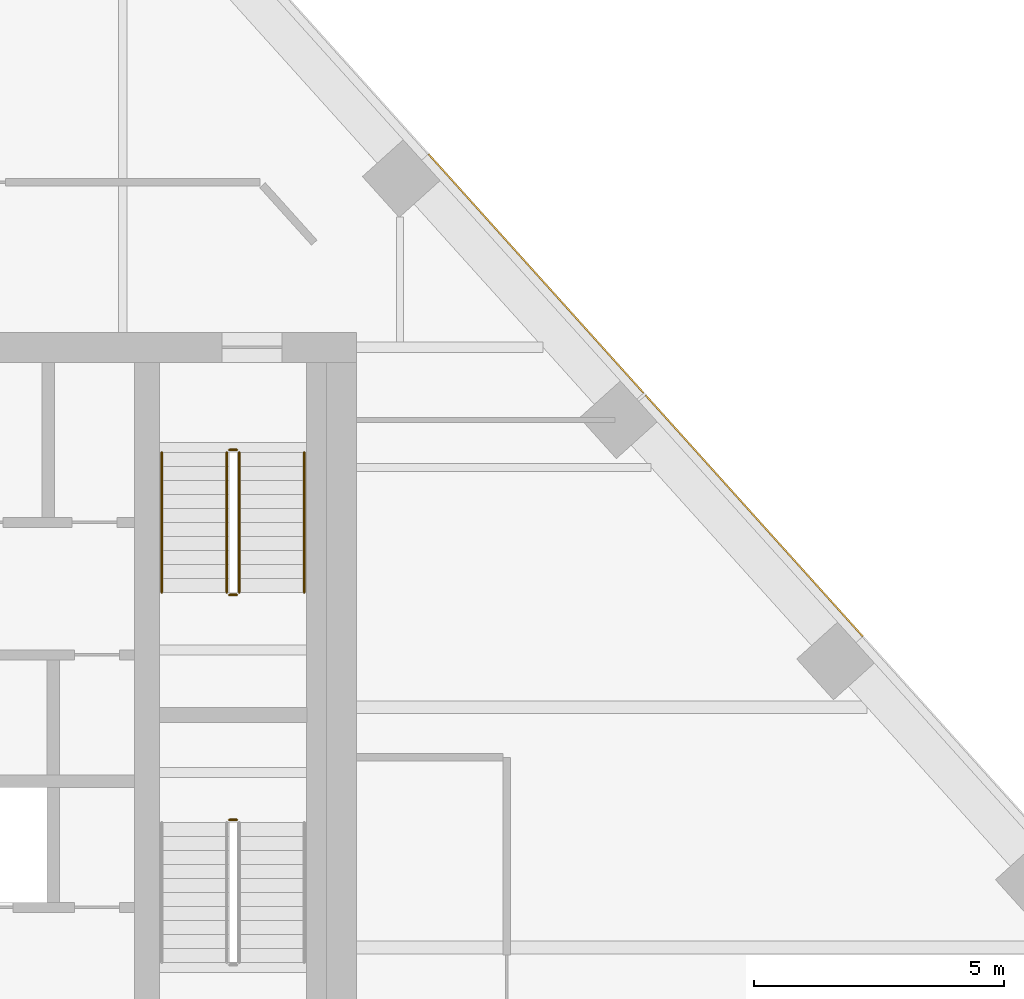
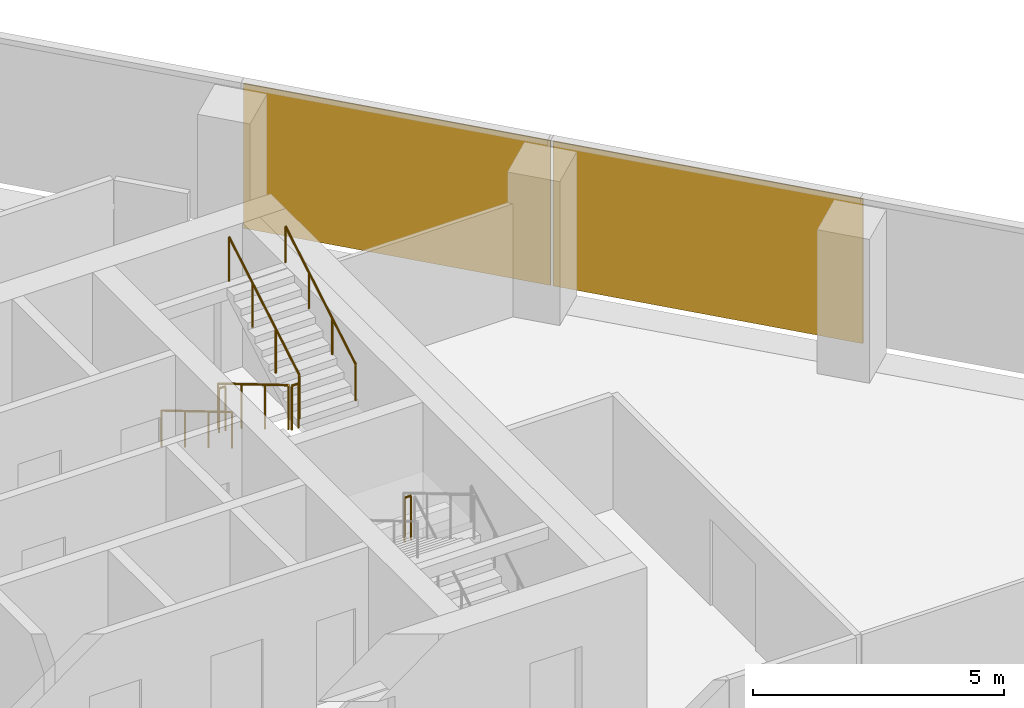
# One storey, part 15 of 15: 7 railings, 2 coverings, 1 element without a shape of its own.
"""IFC4 building model written with IfcOpenShell, lengths in metres."""

from ifc_helpers import new_model, si_unit, direction, frame, origin, origin_2d, place, context, subcontext, project, spatial, rectangle, circle, extrude, material, layer, layer_set, type_object, element, aggregate, save


model = new_model("IFC4")

# Units and contexts
model_context = context("Model", 3, precision=1e-05, world=origin(), true_north=direction((0.0, 1.0)))
body_context = subcontext(model_context, "Body", "Model", "MODEL_VIEW")
ifc_project = project(units=[si_unit("LENGTHUNIT", "METRE"), si_unit("AREAUNIT", "SQUARE_METRE"), si_unit("VOLUMEUNIT", "CUBIC_METRE"), si_unit("PLANEANGLEUNIT", "RADIAN"), si_unit("MASSUNIT", "GRAM", prefix="KILO")], contexts=[model_context])

# Site, building, storey
site_placement = place(None, origin())
site = spatial("IfcSite", under=ifc_project, at=site_placement, CompositionType="ELEMENT")
building_placement = place(site_placement, origin())
building = spatial("IfcBuilding", under=site, at=building_placement, Name="Isthmus Gate Tower", CompositionType="ELEMENT")
storey_placement = place(building_placement, frame((0.0, 0.0, 223.60009765625)))
storey = spatial("IfcBuildingStorey", under=building, at=storey_placement, Name="L56", CompositionType="ELEMENT", Elevation=223.60009765625)

# Curtain wall, coverings
ifc_material_1 = material(Name="Aluminium, pale champagne anodised", Category="aluminium")
ifc_layer_1 = layer(ifc_material_1, 0.199951171875)
ifc_layer_set_1 = layer_set([ifc_layer_1], Name="CW-1 UNITISED CURTAIN WALL 200 DEEP")
curtain_wall_type = type_object("IfcCurtainWallType", Name="CW-1 UNITISED CURTAIN WALL 200 DEEP", PredefinedType="NOTDEFINED", material=ifc_layer_set_1)
curtain_wall_placement = place(storey_placement, origin())
curtain_wall = element("IfcCurtainWall", 1, at=curtain_wall_placement, inside=storey, type_object=curtain_wall_type, Name="CW-1 NE L56", PredefinedType="NOTDEFINED")
ifc_material_2 = material(Name="Aluminium composite panel, pale champagne anodised", Category="aluminium")
ifc_layer_2 = layer(ifc_material_2, 0.031982421875)
ifc_layer_set_2 = layer_set([ifc_layer_2], Name="CW-1 PALE METAL PANEL 32")
covering_type = type_object("IfcCoveringType", Name="CW-1 PALE METAL PANEL 32", PredefinedType="CLADDING", material=ifc_layer_set_2)
covering_1_placement = place(storey_placement, frame((22.950927734375, 11.330810546875, 0.0), z_axis=(0.0, 0.0, 1.0), x_axis=(-0.669130606359, 0.743144825477, 0.0)))
covering_1 = element("IfcCovering", 2, at=covering_1_placement, type_object=covering_type, Name="CW-1 pale metal panel", PredefinedType="CLADDING", context=body_context, shape_type="SweptSolid", body=[
    extrude(rectangle(XDim=6.491943359375, YDim=0.031982421875, at=origin_2d()), origin(), (0.0, 0.0, 1.0), 3.52001953125),
])
covering_2_placement = place(storey_placement, frame((18.5869140625, 16.177734375, 0.0), z_axis=(0.0, 0.0, 1.0), x_axis=(-0.669130606359, 0.743144825477, 0.0)))
covering_2 = element("IfcCovering", 3, at=covering_2_placement, type_object=covering_type, Name="CW-1 pale metal panel", PredefinedType="CLADDING", context=body_context, shape_type="SweptSolid", body=[
    extrude(rectangle(XDim=6.431884765625, YDim=0.031982421875, at=origin_2d()), origin(), (0.0, 0.0, 1.0), 3.52001953125),
])
aggregate(curtain_wall, [covering_1, covering_2])

# Railings
ifc_material_3 = material(Name="Stainless steel balustrade", Category="steel")
railing_type_1 = type_object("IfcRailingType", Name="STAIR GUARD 1100", PredefinedType="GUARDRAIL", material=ifc_material_3)
railing_1_placement = place(storey_placement, frame((12.39990234375, 12.60009765625, 0.165771484375)))
element("IfcRailing", 4, at=railing_1_placement, inside=storey, type_object=railing_type_1, Name="L56 ST2 stair guard 1", PredefinedType="GUARDRAIL", context=body_context, shape_type="SweptSolid", body=[
    extrude(circle(Radius=0.02392578125, at=origin_2d()), frame((0.0, 0.0, 1.076171875), z_axis=(0.0, -0.860306154799, 0.50977771628), x_axis=(1.0, 0.0, 0.0)), (0.0, 0.0, 1.0), 3.254638671875),
    extrude(circle(Radius=0.02099609375, at=origin_2d()), origin(), (0.0, 0.0, 1.0), 1.052001953125),
    extrude(circle(Radius=0.02099609375, at=origin_2d()), frame((0.0, -0.933349609375, 0.552978515625)), (0.0, 0.0, 1.0), 1.052001953125),
    extrude(circle(Radius=0.02099609375, at=origin_2d()), frame((0.0, -1.86669921875, 1.106201171875)), (0.0, 0.0, 1.0), 1.052001953125),
    extrude(circle(Radius=0.02099609375, at=origin_2d()), frame((0.0, -2.800048828125, 1.6591796875)), (0.0, 0.0, 1.0), 1.052001953125),
])
railing_2_placement = place(storey_placement, frame((12.449951171875, 9.75, 1.824951171875)))
element("IfcRailing", 5, at=railing_2_placement, inside=storey, type_object=railing_type_1, Name="L56 ST2 stair guard 2", PredefinedType="GUARDRAIL", context=body_context, shape_type="SweptSolid", body=[
    extrude(circle(Radius=0.02392578125, at=origin_2d()), frame((0.0, 0.0, 1.076171875), z_axis=(1.0, 0.0, 0.0), x_axis=(0.0, 1.0, 0.0)), (0.0, 0.0, 1.0), 0.150146484375),
    extrude(circle(Radius=0.02099609375, at=origin_2d()), origin(), (0.0, 0.0, 1.0), 1.052001953125),
    extrude(circle(Radius=0.02099609375, at=origin_2d()), frame((0.150146484375, 0.0, 0.0)), (0.0, 0.0, 1.0), 1.052001953125),
])
railing_3_placement = place(storey_placement, frame((12.64990234375, 9.800048828125, 1.99072265625)))
element("IfcRailing", 6, at=railing_3_placement, inside=storey, type_object=railing_type_1, Name="L56 ST2 stair guard 3", PredefinedType="GUARDRAIL", context=body_context, shape_type="SweptSolid", body=[
    extrude(circle(Radius=0.02392578125, at=origin_2d()), frame((0.0, 0.0, 1.076171875), z_axis=(0.0, 0.860306154799, 0.50977771628), x_axis=(-1.0, 0.0, 0.0)), (0.0, 0.0, 1.0), 3.254638671875),
    extrude(circle(Radius=0.02099609375, at=origin_2d()), origin(), (0.0, 0.0, 1.0), 1.052001953125),
    extrude(circle(Radius=0.02099609375, at=origin_2d()), frame((0.0, 0.933349609375, 0.552978515625)), (0.0, 0.0, 1.0), 1.052001953125),
    extrude(circle(Radius=0.02099609375, at=origin_2d()), frame((0.0, 1.86669921875, 1.106201171875)), (0.0, 0.0, 1.0), 1.052001953125),
    extrude(circle(Radius=0.02099609375, at=origin_2d()), frame((0.0, 2.800048828125, 1.6591796875)), (0.0, 0.0, 1.0), 1.052001953125),
])
railing_4_placement = place(storey_placement, frame((12.449951171875, 12.64990234375, 0.0)))
element("IfcRailing", 7, at=railing_4_placement, inside=storey, type_object=railing_type_1, Name="L56 ST2 stair guard 4", PredefinedType="GUARDRAIL", context=body_context, shape_type="SweptSolid", body=[
    extrude(circle(Radius=0.02392578125, at=origin_2d()), frame((0.0, 0.0, 1.076171875), z_axis=(1.0, 0.0, 0.0), x_axis=(0.0, 1.0, 0.0)), (0.0, 0.0, 1.0), 0.150146484375),
    extrude(circle(Radius=0.02099609375, at=origin_2d()), origin(), (0.0, 0.0, 1.0), 1.052001953125),
    extrude(circle(Radius=0.02099609375, at=origin_2d()), frame((0.150146484375, 0.0, 0.0)), (0.0, 0.0, 1.0), 1.052001953125),
])
railing_5_placement = place(storey_placement, frame((12.60009765625, 5.25, 1.824951171875)))
element("IfcRailing", 8, at=railing_5_placement, inside=storey, type_object=railing_type_1, Name="L56 ST8 stair guard 2", PredefinedType="GUARDRAIL", context=body_context, shape_type="SweptSolid", body=[
    extrude(circle(Radius=0.02392578125, at=origin_2d()), frame((0.0, 0.0, 1.076171875), z_axis=(-1.0, 0.0, 0.0), x_axis=(0.0, -1.0, 0.0)), (0.0, 0.0, 1.0), 0.150146484375),
    extrude(circle(Radius=0.02099609375, at=origin_2d()), origin(), (0.0, 0.0, 1.0), 1.052001953125),
    extrude(circle(Radius=0.02099609375, at=origin_2d()), frame((-0.150146484375, 0.0, 0.0)), (0.0, 0.0, 1.0), 1.052001953125),
])
ifc_material_4 = material(Name="Stainless steel handrail", Category="steel")
railing_type_2 = type_object("IfcRailingType", Name="STAIR HANDRAIL 900", PredefinedType="HANDRAIL", material=ifc_material_4)
railing_6_placement = place(storey_placement, frame((11.10009765625, 12.60009765625, 0.165771484375)))
element("IfcRailing", 9, at=railing_6_placement, inside=storey, type_object=railing_type_2, Name="L56 ST2 stair handrail 1", PredefinedType="HANDRAIL", context=body_context, shape_type="SweptSolid", body=[
    extrude(circle(Radius=0.02392578125, at=origin_2d()), frame((0.0, 0.0, 0.8759765625), z_axis=(0.0, -0.860306154799, 0.50977771628), x_axis=(1.0, 0.0, 0.0)), (0.0, 0.0, 1.0), 3.254638671875),
    extrude(circle(Radius=0.02099609375, at=origin_2d()), origin(), (0.0, 0.0, 1.0), 0.851806640625),
    extrude(circle(Radius=0.02099609375, at=origin_2d()), frame((0.0, -0.933349609375, 0.552978515625)), (0.0, 0.0, 1.0), 0.851806640625),
    extrude(circle(Radius=0.02099609375, at=origin_2d()), frame((0.0, -1.86669921875, 1.106201171875)), (0.0, 0.0, 1.0), 0.851806640625),
    extrude(circle(Radius=0.02099609375, at=origin_2d()), frame((0.0, -2.800048828125, 1.6591796875)), (0.0, 0.0, 1.0), 0.851806640625),
])
railing_7_placement = place(storey_placement, frame((13.949951171875, 9.800048828125, 1.99072265625)))
element("IfcRailing", 10, at=railing_7_placement, inside=storey, type_object=railing_type_2, Name="L56 ST2 stair handrail 2", PredefinedType="HANDRAIL", context=body_context, shape_type="SweptSolid", body=[
    extrude(circle(Radius=0.02392578125, at=origin_2d()), frame((0.0, 0.0, 0.8759765625), z_axis=(0.0, 0.860306154799, 0.50977771628), x_axis=(-1.0, 0.0, 0.0)), (0.0, 0.0, 1.0), 3.254638671875),
    extrude(circle(Radius=0.02099609375, at=origin_2d()), origin(), (0.0, 0.0, 1.0), 0.851806640625),
    extrude(circle(Radius=0.02099609375, at=origin_2d()), frame((0.0, 0.933349609375, 0.552978515625)), (0.0, 0.0, 1.0), 0.851806640625),
    extrude(circle(Radius=0.02099609375, at=origin_2d()), frame((0.0, 1.86669921875, 1.106201171875)), (0.0, 0.0, 1.0), 0.851806640625),
    extrude(circle(Radius=0.02099609375, at=origin_2d()), frame((0.0, 2.800048828125, 1.6591796875)), (0.0, 0.0, 1.0), 0.851806640625),
])

save(model, "model.ifc")
